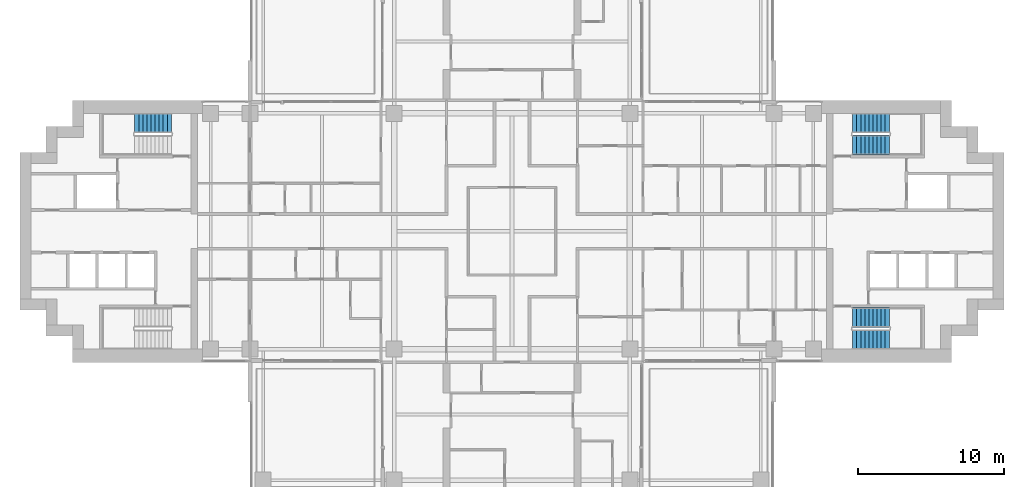
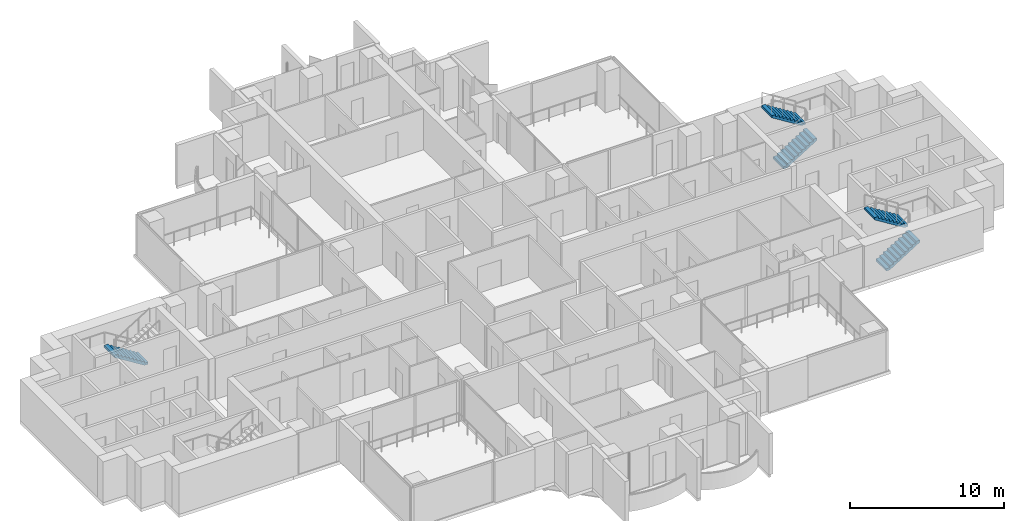
# One storey, part 15 of 19: 5 stair flights, 3 elements without a shape of their own.
"""IFC4 building model written with IfcOpenShell, lengths in metres."""

from ifc_helpers import new_model, si_unit, direction, frame, origin, place, context, subcontext, project, spatial, polyline, outline, extrude, material, type_object, element, aggregate, save


model = new_model("IFC4")

# Units and contexts
model_context = context("Model", 3, precision=1e-05, world=origin(), true_north=direction((0.0, 1.0)))
body_context = subcontext(model_context, "Body", "Model", "MODEL_VIEW")
ifc_project = project(units=[si_unit("LENGTHUNIT", "METRE"), si_unit("AREAUNIT", "SQUARE_METRE"), si_unit("VOLUMEUNIT", "CUBIC_METRE"), si_unit("PLANEANGLEUNIT", "RADIAN"), si_unit("MASSUNIT", "GRAM", prefix="KILO")], contexts=[model_context])

# Site, building, storey
site_placement = place(None, origin())
site = spatial("IfcSite", under=ifc_project, at=site_placement, CompositionType="ELEMENT")
building_placement = place(site_placement, origin())
building = spatial("IfcBuilding", under=site, at=building_placement, Name="Perihelion Cross Residences", CompositionType="ELEMENT")
storey_placement = place(building_placement, frame((0.0, 0.0, 112.89990234375)))
storey = spatial("IfcBuildingStorey", under=building, at=storey_placement, Name="L26", CompositionType="ELEMENT", Elevation=112.89990234375)

# Stair, stair flights
ifc_material_1 = material(Name="Concrete C40/50", Category="concrete")
stair_type = type_object("IfcStairType", Name="Exit stair, half-turn", PredefinedType="HALF_TURN_STAIR", material=ifc_material_1)
stair_1_placement = place(storey_placement, origin())
stair_1 = element("IfcStair", 1, at=stair_1_placement, inside=storey, type_object=stair_type, Name="L26 East core exit stair 1", PredefinedType="HALF_TURN_STAIR")
ifc_material_2 = material(Name="Concrete C40/50", Category="concrete")
stair_flight_type = type_object("IfcStairFlightType", Name="Exit stair flight", PredefinedType="STRAIGHT", material=ifc_material_2)
stair_flight_1_placement = place(storey_placement, frame((23.39990234375, 5.925048828125, 0.0), z_axis=(0.0, 0.0, 1.0), x_axis=(1.0, 0.0, 0.0)))
stair_flight_1 = element("IfcStairFlight", 2, at=stair_flight_1_placement, type_object=stair_flight_type, Name="ST-E1 flight 1", NumberOfRisers=10, NumberOfTreads=9, PredefinedType="STRAIGHT", RiserHeight=0.175, TreadLength=0.28, context=body_context, shape_type="SweptSolid", body=[
    extrude(outline(polyline([(0.0, 0.0), (0.0, 0.175048828125), (0.280029296875, 0.175048828125), (0.280029296875, 0.35009765625), (0.56005859375, 0.35009765625), (0.56005859375, 0.52490234375), (0.840087890625, 0.52490234375), (0.840087890625, 0.699951171875), (1.1201171875, 0.699951171875), (1.1201171875, 0.875), (1.39990234375, 0.875), (1.39990234375, 1.050048828125), (1.679931640625, 1.050048828125), (1.679931640625, 1.22509765625), (1.9599609375, 1.22509765625), (1.9599609375, 1.39990234375), (2.239990234375, 1.39990234375), (2.239990234375, 1.574951171875), (2.52001953125, 1.574951171875), (2.52001953125, 1.75), (2.52001953125, 1.398193359375), (0.28271484375, 0.0), (0.0, 0.0)])), frame((0.0, 0.675048828125, 0.0), z_axis=(0.0, -1.0, 0.0), x_axis=(1.0, 0.0, 0.0)), (0.0, 0.0, 1.0), 1.35009765625),
])
stair_flight_2_placement = place(storey_placement, frame((25.919921875, 7.425048828125, 1.75), z_axis=(0.0, 0.0, 1.0), x_axis=(-1.0, 0.0, 0.0)))
stair_flight_2 = element("IfcStairFlight", 3, at=stair_flight_2_placement, type_object=stair_flight_type, Name="ST-E1 flight 2", NumberOfRisers=10, NumberOfTreads=9, PredefinedType="STRAIGHT", RiserHeight=0.175, TreadLength=0.28, context=body_context, shape_type="SweptSolid", body=[
    extrude(outline(polyline([(0.0, 0.0), (0.0, 0.175048828125), (0.280029296875, 0.175048828125), (0.280029296875, 0.35009765625), (0.56005859375, 0.35009765625), (0.56005859375, 0.52490234375), (0.840087890625, 0.52490234375), (0.840087890625, 0.699951171875), (1.1201171875, 0.699951171875), (1.1201171875, 0.875), (1.39990234375, 0.875), (1.39990234375, 1.050048828125), (1.679931640625, 1.050048828125), (1.679931640625, 1.22509765625), (1.9599609375, 1.22509765625), (1.9599609375, 1.39990234375), (2.239990234375, 1.39990234375), (2.239990234375, 1.574951171875), (2.52001953125, 1.574951171875), (2.52001953125, 1.75), (2.52001953125, 1.398193359375), (0.28271484375, 0.0), (0.0, 0.0)])), frame((0.0, 0.675048828125, 0.0), z_axis=(0.0, -1.0, 0.0), x_axis=(1.0, 0.0, 0.0)), (0.0, 0.0, 1.0), 1.35009765625),
])
aggregate(stair_1, [stair_flight_1, stair_flight_2])

stair_2_placement = place(storey_placement, origin())
stair_2 = element("IfcStair", 4, at=stair_2_placement, inside=storey, type_object=stair_type, Name="L26 East core exit stair 2", PredefinedType="HALF_TURN_STAIR")
stair_flight_3_placement = place(storey_placement, frame((23.39990234375, -7.425048828125, 0.0), z_axis=(0.0, 0.0, 1.0), x_axis=(1.0, 0.0, 0.0)))
stair_flight_3 = element("IfcStairFlight", 5, at=stair_flight_3_placement, type_object=stair_flight_type, Name="ST-E2 flight 1", NumberOfRisers=10, NumberOfTreads=9, PredefinedType="STRAIGHT", RiserHeight=0.175, TreadLength=0.28, context=body_context, shape_type="SweptSolid", body=[
    extrude(outline(polyline([(0.0, 0.0), (0.0, 0.175048828125), (0.280029296875, 0.175048828125), (0.280029296875, 0.35009765625), (0.56005859375, 0.35009765625), (0.56005859375, 0.52490234375), (0.840087890625, 0.52490234375), (0.840087890625, 0.699951171875), (1.1201171875, 0.699951171875), (1.1201171875, 0.875), (1.39990234375, 0.875), (1.39990234375, 1.050048828125), (1.679931640625, 1.050048828125), (1.679931640625, 1.22509765625), (1.9599609375, 1.22509765625), (1.9599609375, 1.39990234375), (2.239990234375, 1.39990234375), (2.239990234375, 1.574951171875), (2.52001953125, 1.574951171875), (2.52001953125, 1.75), (2.52001953125, 1.398193359375), (0.28271484375, 0.0), (0.0, 0.0)])), frame((0.0, 0.675048828125, 0.0), z_axis=(0.0, -1.0, 0.0), x_axis=(1.0, 0.0, 0.0)), (0.0, 0.0, 1.0), 1.35009765625),
])
stair_flight_4_placement = place(storey_placement, frame((25.919921875, -5.925048828125, 1.75), z_axis=(0.0, 0.0, 1.0), x_axis=(-1.0, 0.0, 0.0)))
stair_flight_4 = element("IfcStairFlight", 6, at=stair_flight_4_placement, type_object=stair_flight_type, Name="ST-E2 flight 2", NumberOfRisers=10, NumberOfTreads=9, PredefinedType="STRAIGHT", RiserHeight=0.175, TreadLength=0.28, context=body_context, shape_type="SweptSolid", body=[
    extrude(outline(polyline([(0.0, 0.0), (0.0, 0.175048828125), (0.280029296875, 0.175048828125), (0.280029296875, 0.35009765625), (0.56005859375, 0.35009765625), (0.56005859375, 0.52490234375), (0.840087890625, 0.52490234375), (0.840087890625, 0.699951171875), (1.1201171875, 0.699951171875), (1.1201171875, 0.875), (1.39990234375, 0.875), (1.39990234375, 1.050048828125), (1.679931640625, 1.050048828125), (1.679931640625, 1.22509765625), (1.9599609375, 1.22509765625), (1.9599609375, 1.39990234375), (2.239990234375, 1.39990234375), (2.239990234375, 1.574951171875), (2.52001953125, 1.574951171875), (2.52001953125, 1.75), (2.52001953125, 1.398193359375), (0.28271484375, 0.0), (0.0, 0.0)])), frame((0.0, 0.675048828125, 0.0), z_axis=(0.0, -1.0, 0.0), x_axis=(1.0, 0.0, 0.0)), (0.0, 0.0, 1.0), 1.35009765625),
])
aggregate(stair_2, [stair_flight_3, stair_flight_4])

# Stair, stair flight
stair_3_placement = place(storey_placement, origin())
stair_3 = element("IfcStair", 7, at=stair_3_placement, inside=storey, type_object=stair_type, Name="L26 West core exit stair 1", PredefinedType="HALF_TURN_STAIR")
stair_flight_5_placement = place(storey_placement, frame((-23.39990234375, 7.425048828125, 0.0), z_axis=(0.0, 0.0, 1.0), x_axis=(-1.0, 0.0, 0.0)))
stair_flight_5 = element("IfcStairFlight", 8, at=stair_flight_5_placement, type_object=stair_flight_type, Name="ST-W1 flight 1", NumberOfRisers=10, NumberOfTreads=9, PredefinedType="STRAIGHT", RiserHeight=0.175, TreadLength=0.28, context=body_context, shape_type="SweptSolid", body=[
    extrude(outline(polyline([(0.0, 0.0), (0.0, 0.175048828125), (0.280029296875, 0.175048828125), (0.280029296875, 0.35009765625), (0.56005859375, 0.35009765625), (0.56005859375, 0.52490234375), (0.840087890625, 0.52490234375), (0.840087890625, 0.699951171875), (1.1201171875, 0.699951171875), (1.1201171875, 0.875), (1.39990234375, 0.875), (1.39990234375, 1.050048828125), (1.679931640625, 1.050048828125), (1.679931640625, 1.22509765625), (1.9599609375, 1.22509765625), (1.9599609375, 1.39990234375), (2.239990234375, 1.39990234375), (2.239990234375, 1.574951171875), (2.52001953125, 1.574951171875), (2.52001953125, 1.75), (2.52001953125, 1.398193359375), (0.28271484375, 0.0), (0.0, 0.0)])), frame((0.0, 0.675048828125, 0.0), z_axis=(0.0, -1.0, 0.0), x_axis=(1.0, 0.0, 0.0)), (0.0, 0.0, 1.0), 1.35009765625),
])
aggregate(stair_3, [stair_flight_5])

save(model, "model.ifc")
